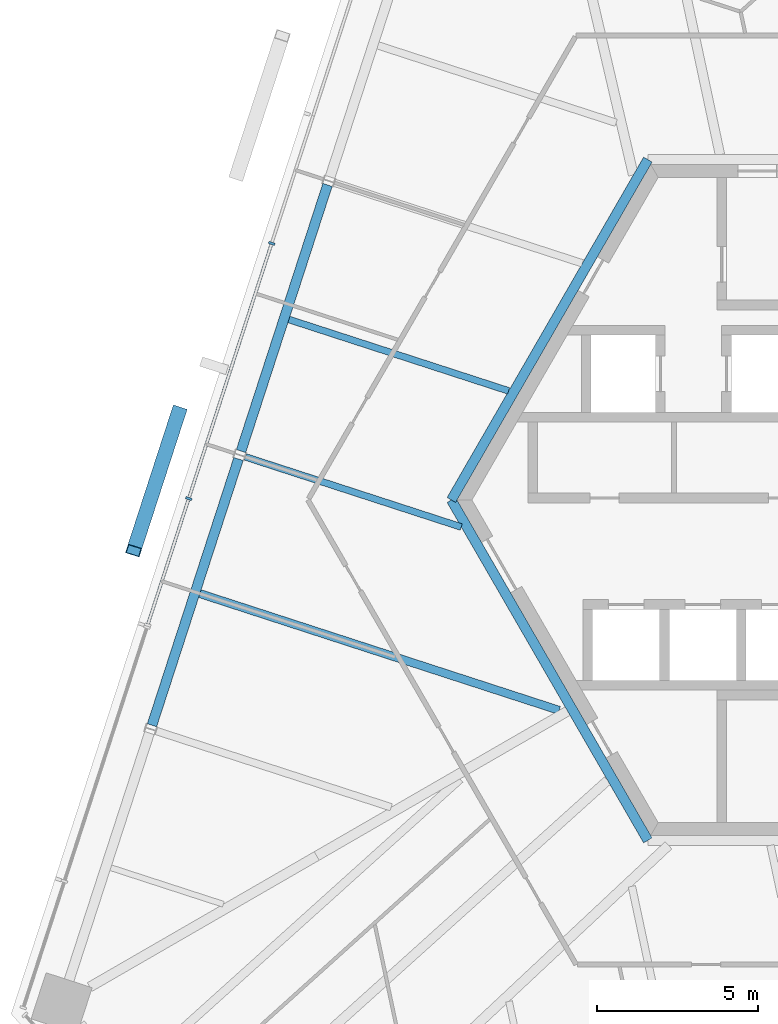
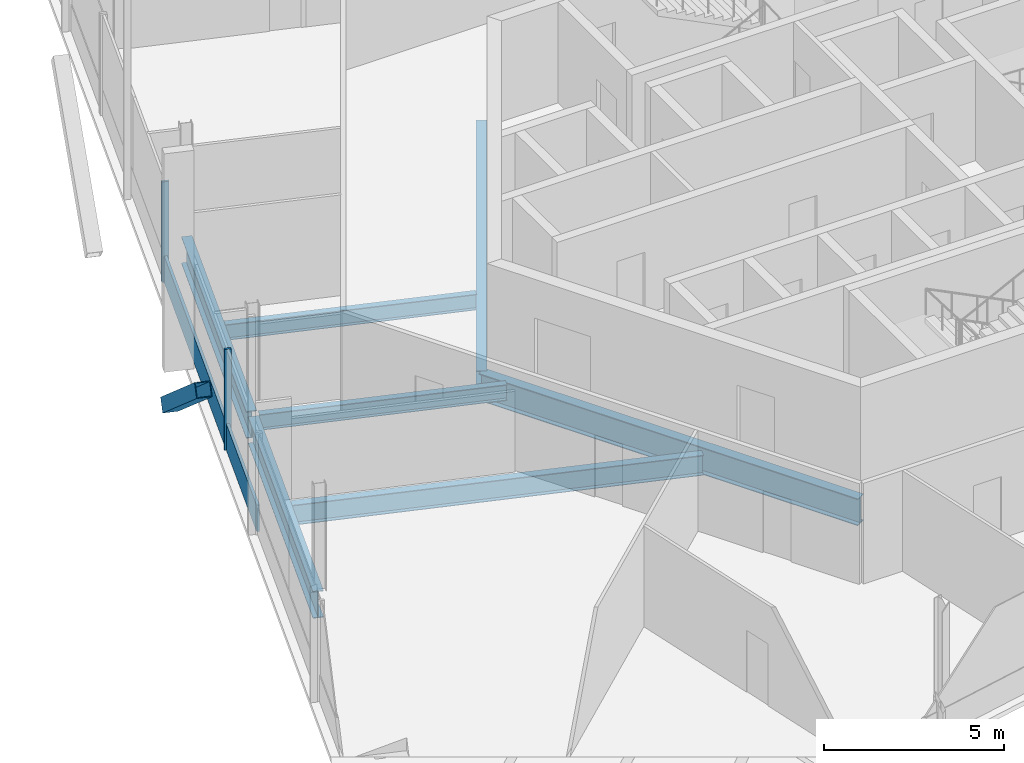
# One storey, part 5 of 17: 7 beams, 5 members, 1 element without a shape of its own.
"""IFC4 building model written with IfcOpenShell, lengths in metres."""

from ifc_helpers import new_model, si_unit, direction, frame, origin, origin_2d, place, context, subcontext, project, spatial, rectangle, hollow_rectangle, i_section, extrude, source, transform, mapped, material, material_profile, profile_set, type_object, element, aggregate, save


model = new_model("IFC4")

# Units and contexts
model_context = context("Model", 3, precision=1e-05, world=origin(), true_north=direction((0.0, 1.0)))
body_context = subcontext(model_context, "Body", "Model", "MODEL_VIEW")
ifc_project = project(units=[si_unit("LENGTHUNIT", "METRE"), si_unit("AREAUNIT", "SQUARE_METRE"), si_unit("VOLUMEUNIT", "CUBIC_METRE"), si_unit("PLANEANGLEUNIT", "RADIAN"), si_unit("MASSUNIT", "GRAM", prefix="KILO")], contexts=[model_context])

# Site, building, storey
site_placement = place(None, origin())
site = spatial("IfcSite", under=ifc_project, at=site_placement, CompositionType="ELEMENT")
building_placement = place(site_placement, origin())
building = spatial("IfcBuilding", under=site, at=building_placement, Name="Triune Harvest Tower", CompositionType="ELEMENT")
storey_placement = place(building_placement, frame((0.0, 0.0, 281.10009765625)))
storey = spatial("IfcBuildingStorey", under=building, at=storey_placement, Name="L74", CompositionType="ELEMENT", Elevation=281.10009765625)

# Beams
ifc_material_1 = material(Name="Steel ASTM A992 Gr 50", Category="steel")
ifc_material_profile_1 = material_profile(ifc_material_1, i_section(OverallWidth=0.3046875, OverallDepth=0.914306640625, WebThickness=0.0166015625, FlangeThickness=0.02587890625, at=origin_2d()), Name="W36x160")
ifc_profile_set_1 = profile_set([ifc_material_profile_1], Name="Steel ASTM A992 Gr 50")
beam_type_1 = type_object("IfcBeamType", Name="CG-1 Core ring girder W36x160", PredefinedType="BEAM", material=ifc_profile_set_1)
shared_shape_1 = source(origin(), body_context, "Body", "SweptSolid", [
    extrude(i_section(OverallWidth=0.3046875, OverallDepth=0.914306640625, WebThickness=0.0166015625, FlangeThickness=0.02587890625, at=origin_2d()), origin(), (0.0, 0.0, 1.0), 12.176025390625),
])
for number, where, z_axis, x_axis, name in (
    (1, (-6.087890625, 10.544677734375, -0.6171875), (-0.5000099932, -0.866019634131, 0.0), (0.866019634131, -0.5000099932, 0.0), "beam/L74/CG3"),
    (2, (-12.176025390625, 0.0, -0.6171875), (0.5000099932, -0.866019634131, 0.0), (0.866019634131, 0.5000099932, 0.0), "beam/L74/CG4"),
):
    element("IfcBeam", number, at=place(storey_placement, frame(where, z_axis=z_axis, x_axis=x_axis)), inside=storey, type_object=beam_type_1, Name=name, PredefinedType="BEAM", context=body_context, shape_type="MappedRepresentation", body=[
        mapped(shared_shape_1, transform((0.0, 0.0, 0.0), scale=1.0)),
    ])
ifc_material_2 = material(Name="Steel ASTM A992 Gr 50", Category="steel")
ifc_material_profile_2 = material_profile(ifc_material_2, i_section(OverallWidth=0.3046875, OverallDepth=0.914306640625, WebThickness=0.0166015625, FlangeThickness=0.02587890625, at=origin_2d()), Name="W36x160")
ifc_profile_set_2 = profile_set([ifc_material_profile_2], Name="Steel ASTM A992 Gr 50")
beam_type_2 = type_object("IfcBeamType", Name="SB-1 Spandrel beam W36x160", PredefinedType="SPANDREL", material=ifc_profile_set_2)
shared_shape_2 = source(origin(), body_context, "Body", "SweptSolid", [
    extrude(i_section(OverallWidth=0.3046875, OverallDepth=0.914306640625, WebThickness=0.0166015625, FlangeThickness=0.02587890625, at=origin_2d()), origin(), (0.0, 0.0, 1.0), 8.67138671875),
])
for number, where, z_axis, x_axis, name in (
    (3, (-16.011474609375, 9.76123046875, -0.6171875), (-0.309030684676, -0.951052067938, 0.0), (0.951052067938, -0.309030684676, 0.0), "beam/L74/SB10"),
    (4, (-18.7705078125, 1.270263671875, -0.6171875), (-0.309022409974, -0.951054756643, 0.0), (0.951054756643, -0.309022409974, 0.0), "beam/L74/SB11"),
):
    element("IfcBeam", number, at=place(storey_placement, frame(where, z_axis=z_axis, x_axis=x_axis)), inside=storey, type_object=beam_type_2, Name=name, PredefinedType="SPANDREL", context=body_context, shape_type="MappedRepresentation", body=[
        mapped(shared_shape_2, transform((0.0, 0.0, 0.0), scale=1.0)),
    ])
ifc_material_3 = material(Name="Steel ASTM A992 Gr 50", Category="steel")
ifc_material_profile_3 = material_profile(ifc_material_3, i_section(OverallWidth=0.253662109375, OverallDepth=0.683349609375, WebThickness=0.012451171875, FlangeThickness=0.01904296875, at=origin_2d()), Name="W27x94")
ifc_profile_set_3 = profile_set([ifc_material_profile_3], Name="Steel ASTM A992 Gr 50")
beam_type_3 = type_object("IfcBeamType", Name="JT-4 Floor joist W27x94", PredefinedType="JOIST", material=ifc_profile_set_3)
shared_shape_3 = source(origin(), body_context, "Body", "SweptSolid", [
    extrude(i_section(OverallWidth=0.253662109375, OverallDepth=0.683349609375, WebThickness=0.012451171875, FlangeThickness=0.01904296875, at=origin_2d()), origin(), (0.0, 0.0, 1.0), 11.70068359375),
])
beam_1_placement = place(storey_placement, frame((-19.96533203125, -2.900390625, -0.501708984375), z_axis=(0.951055533623, -0.309020018713, 0.0), x_axis=(0.309020018713, 0.951055533623, 0.0)))
element("IfcBeam", 5, at=beam_1_placement, inside=storey, type_object=beam_type_3, Name="beam/L74/JT18", PredefinedType="JOIST", context=body_context, shape_type="MappedRepresentation", body=[
    mapped(shared_shape_3, transform((0.0, 0.0, 0.0), scale=1.0)),
])
ifc_material_4 = material(Name="Steel ASTM A992 Gr 50", Category="steel")
ifc_material_profile_4 = material_profile(ifc_material_4, i_section(OverallWidth=0.2099609375, OverallDepth=0.535888671875, WebThickness=0.010986328125, FlangeThickness=0.017333984375, at=origin_2d()), Name="W21x68")
ifc_profile_set_4 = profile_set([ifc_material_profile_4], Name="Steel ASTM A992 Gr 50")
beam_type_4 = type_object("IfcBeamType", Name="JT-2 Floor joist W21x68", PredefinedType="JOIST", material=ifc_profile_set_4)
shared_shape_4 = source(origin(), body_context, "Body", "SweptSolid", [
    extrude(i_section(OverallWidth=0.2099609375, OverallDepth=0.535888671875, WebThickness=0.010986328125, FlangeThickness=0.017333984375, at=origin_2d()), origin(), (0.0, 0.0, 1.0), 7.15576171875),
])
beam_2_placement = place(storey_placement, frame((-17.206298828125, 5.5908203125, -0.427978515625), z_axis=(0.95104785783, -0.30904364112, 0.0), x_axis=(0.30904364112, 0.95104785783, 0.0)))
element("IfcBeam", 6, at=beam_2_placement, inside=storey, type_object=beam_type_4, Name="beam/L74/JT16", PredefinedType="JOIST", context=body_context, shape_type="MappedRepresentation", body=[
    mapped(shared_shape_4, transform((0.0, 0.0, 0.0), scale=1.0)),
])
shared_shape_5 = source(origin(), body_context, "Body", "SweptSolid", [
    extrude(i_section(OverallWidth=0.2099609375, OverallDepth=0.535888671875, WebThickness=0.010986328125, FlangeThickness=0.017333984375, at=origin_2d()), origin(), (0.0, 0.0, 1.0), 7.03515625),
])
beam_3_placement = place(storey_placement, frame((-18.559326171875, 1.336669921875, -0.427978515625), z_axis=(0.951053958357, -0.309024866787, 0.0), x_axis=(0.309024866787, 0.951053958357, 0.0)))
element("IfcBeam", 7, at=beam_3_placement, inside=storey, type_object=beam_type_4, Name="beam/L74/JT17", PredefinedType="JOIST", context=body_context, shape_type="MappedRepresentation", body=[
    mapped(shared_shape_5, transform((0.0, 0.0, 0.0), scale=1.0)),
])

# Member
ifc_material_5 = material(Name="Steel ASTM A572 Gr 50", Category="steel")
ifc_material_profile_5 = material_profile(ifc_material_5, hollow_rectangle(XDim=0.449951171875, YDim=0.449951171875, WallThickness=0.02490234375, at=origin_2d()), Name="Box 450x450x25")
ifc_profile_set_5 = profile_set([ifc_material_profile_5], Name="Steel ASTM A572 Gr 50")
member_type_1 = type_object("IfcMemberType", Name="BR-4 Brace Box 450x450x25", PredefinedType="BRACE", material=ifc_profile_set_5)
shared_shape_6 = source(origin(), body_context, "Body", "SweptSolid", [
    extrude(hollow_rectangle(XDim=0.449951171875, YDim=0.449951171875, WallThickness=0.02490234375, at=origin_2d()), origin(), (0.0, 0.0, 1.0), 5.7890625),
])
member_1_placement = place(storey_placement, frame((-20.6162109375, 2.743408203125, 0.0), z_axis=(-0.241988977221, -0.744818286283, 0.621841664189), x_axis=(0.951062953567, -0.308997181788, 0.0)))
element("IfcMember", 8, at=member_1_placement, inside=storey, type_object=member_type_1, Name="brace/B7-F3/d1/7", PredefinedType="BRACE", context=body_context, shape_type="MappedRepresentation", body=[
    mapped(shared_shape_6, transform((0.0, 0.0, 0.0), scale=1.0)),
])

# Curtain wall, members
ifc_material_6 = material(Name="Aluminium bronze anodised", Category="aluminium")
curtain_wall_type = type_object("IfcCurtainWallType", Name="CW-7 Tower stick curtain wall with insulated spandrel infill", PredefinedType="NOTDEFINED", material=ifc_material_6)
curtain_wall_placement = place(storey_placement, origin())
curtain_wall = element("IfcCurtainWall", 9, at=curtain_wall_placement, inside=storey, type_object=curtain_wall_type, Name="CW-7 B7-F3 L74 run 1001")
ifc_material_7 = material(Name="Aluminium bronze anodised", Category="aluminium")
ifc_material_profile_6 = material_profile(ifc_material_7, rectangle(XDim=0.090087890625, YDim=0.89990234375, at=origin_2d()), Name="TR-1 transom 90 x 900")
ifc_profile_set_6 = profile_set([ifc_material_profile_6], Name="Aluminium bronze anodised")
member_type_2 = type_object("IfcMemberType", Name="TR-1 transom 90 x 900", PredefinedType="USERDEFINED", material=ifc_profile_set_6)
shared_shape_7 = source(origin(), body_context, "Body", "SweptSolid", [
    extrude(rectangle(XDim=0.090087890625, YDim=0.89990234375, at=origin_2d()), origin(), (0.0, 0.0, 1.0), 4.04345703125),
])
member_2_placement = place(storey_placement, frame((-20.32177734375, 0.009033203125, 0.449951171875), z_axis=(-0.309027363751, -0.951053147018, 0.0), x_axis=(0.951053147018, -0.309027363751, 0.0)))
member_2 = element("IfcMember", 10, at=member_2_placement, type_object=member_type_2, Name="CW-7 transom B7-F3 1001.3", ObjectType="TRANSOM", PredefinedType="USERDEFINED", context=body_context, shape_type="MappedRepresentation", body=[
    mapped(shared_shape_7, transform((0.0, 0.0, 0.0), scale=1.0)),
])
shared_shape_8 = source(origin(), body_context, "Body", "SweptSolid", [
    extrude(rectangle(XDim=0.090087890625, YDim=0.89990234375, at=origin_2d()), origin(), (0.0, 0.0, 1.0), 8.236572265625),
])
member_3_placement = place(storey_placement, frame((-17.75341796875, 7.913818359375, 0.449951171875), z_axis=(-0.309006984033, -0.951059768794, 0.0), x_axis=(0.951059768794, -0.309006984033, 0.0)))
member_3 = element("IfcMember", 11, at=member_3_placement, type_object=member_type_2, Name="CW-7 transom B7-F3 1001.2", ObjectType="TRANSOM", PredefinedType="USERDEFINED", context=body_context, shape_type="MappedRepresentation", body=[
    mapped(shared_shape_8, transform((0.0, 0.0, 0.0), scale=1.0)),
])
ifc_material_8 = material(Name="Aluminium bronze anodised", Category="aluminium")
ifc_material_profile_7 = material_profile(ifc_material_8, rectangle(XDim=0.199951171875, YDim=0.074951171875, at=origin_2d()), Name="MU-1 mullion 75 x 200")
ifc_profile_set_7 = profile_set([ifc_material_profile_7], Name="Aluminium bronze anodised")
member_type_3 = type_object("IfcMemberType", Name="MU-1 mullion 75 x 200", PredefinedType="MULLION", material=ifc_profile_set_7)
shared_shape_9 = source(origin(), body_context, "Body", "SweptSolid", [
    extrude(rectangle(XDim=0.199951171875, YDim=0.074951171875, at=origin_2d()), origin(), (0.0, 0.0, 1.0), 3.419921875),
])
member_4_placement = place(storey_placement, frame((-17.74169921875, 7.949462890625, 0.0), z_axis=(0.0, 0.0, 1.0), x_axis=(0.951055533932, -0.309020017761, 0.0)))
member_4 = element("IfcMember", 12, at=member_4_placement, type_object=member_type_3, Name="CW-7 mullion B7-F3 1001.3", PredefinedType="MULLION", context=body_context, shape_type="MappedRepresentation", body=[
    mapped(shared_shape_9, transform((0.0, 0.0, 0.0), scale=1.0)),
])
member_5_placement = place(storey_placement, frame((-20.31005859375, 0.044677734375, 0.0), z_axis=(0.0, 0.0, 1.0), x_axis=(0.951055533932, -0.309020017761, 0.0)))
member_5 = element("IfcMember", 13, at=member_5_placement, type_object=member_type_3, Name="CW-7 mullion B7-F3 1001.5", PredefinedType="MULLION", context=body_context, shape_type="MappedRepresentation", body=[
    mapped(shared_shape_9, transform((0.0, 0.0, 0.0), scale=1.0)),
])
aggregate(curtain_wall, [member_4, member_5, member_3, member_2])

save(model, "model.ifc")
